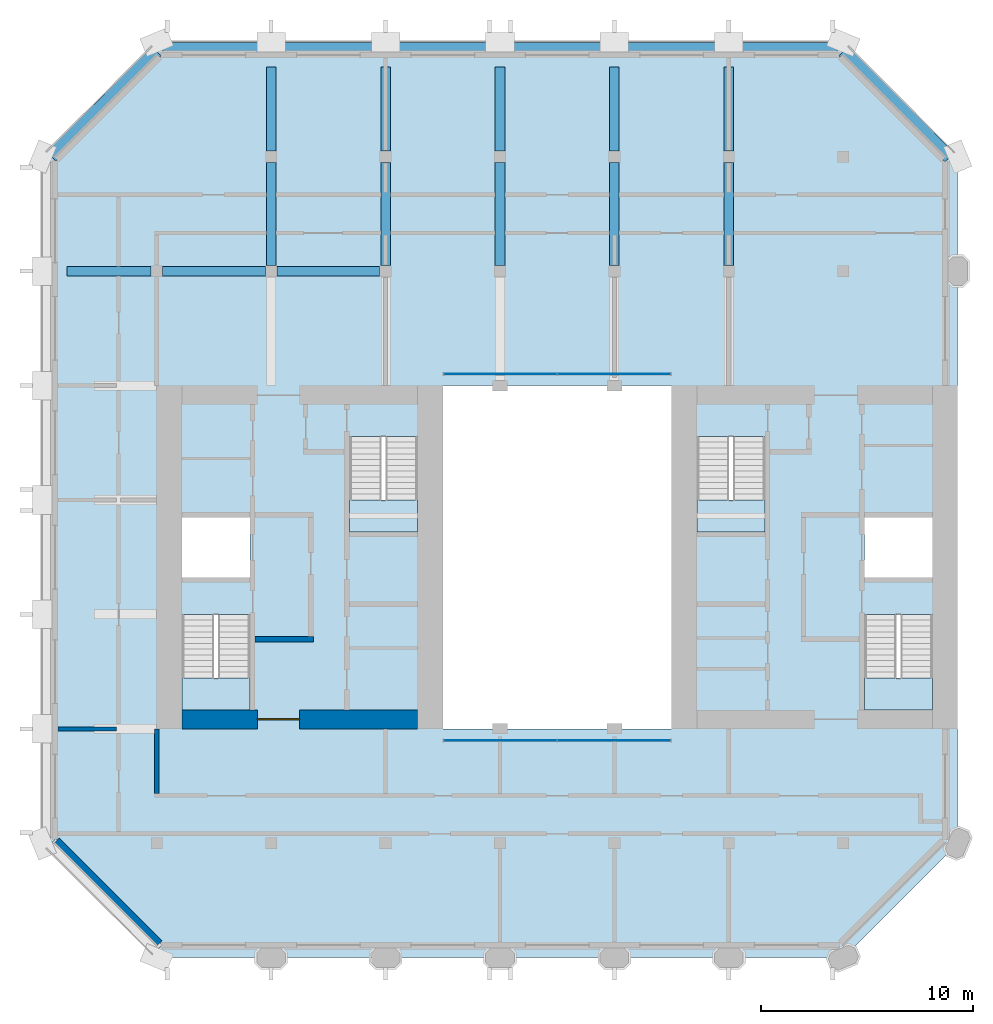
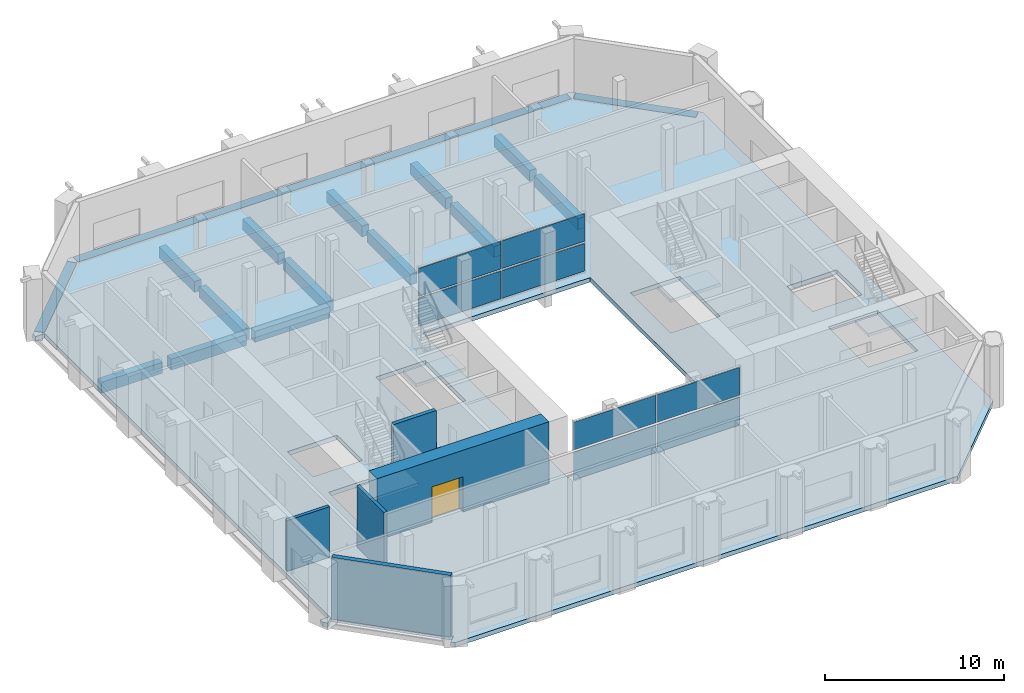
# One storey, part 5 of 12: 16 beams, 8 plates, 5 slabs, 5 walls, 1 door, 1 opening, 6 elements without a shape of their own.
"""IFC4 building model written with IfcOpenShell, lengths in metres."""

import ifcopenshell
import ifcopenshell.guid

model = None  # the IFC model being written
_history = None  # IfcOwnerHistory: only IFC2X3 demands one
_inside = {}  # id of a spatial element -> (the spatial element, [elements in it])
_under = {}  # id of a project, library or spatial element -> (it, [spatial elements below it])
_declared = {}  # id of a project -> (the project, [libraries it declares])
_typed = {}  # id of a type object -> (the type object, [elements of that type])
_made_of = {}  # id of a material, layer set ... -> (it, [elements and type objects made of it])


def new_model(schema):
    """Start an empty IFC model of exactly this schema.

    Asked for "IFC4X3", IfcOpenShell would pick the latest addendum, in which some entities
    have other attributes; the version numbers below select the first issue.
    IFC2X3 requires an IfcOwnerHistory on every rooted entity: one is made here for all.
    """
    global model, _history
    if schema == "IFC4X3":
        model = ifcopenshell.file(schema_version=(4, 3, 0, 0))
    else:
        model = ifcopenshell.file(schema=schema)
    _inside.clear()
    _under.clear()
    _declared.clear()
    _typed.clear()
    _made_of.clear()
    _history = None
    if model.schema == "IFC2X3":
        org = make("IfcOrganization", Name="unknown")
        user = make(
            "IfcPersonAndOrganization",
            ThePerson=make("IfcPerson", FamilyName="unknown"),
            TheOrganization=org,
        )
        app = make(
            "IfcApplication",
            ApplicationDeveloper=org,
            Version="unknown",
            ApplicationFullName="unknown",
            ApplicationIdentifier="unknown",
        )
        _history = make(
            "IfcOwnerHistory",
            OwningUser=user,
            OwningApplication=app,
            ChangeAction="ADDED",
            CreationDate=0,
        )
    return model


def make(cls, **values):
    """One entity of the class cls with the attributes given. An attribute that is None is left unset."""
    return model.create_entity(
        cls, **{name: value for name, value in values.items() if value is not None}
    )


def rooted(cls, **values):
    """An entity with a GlobalId (a new one), such as an element, a storey or a relation."""
    return make(cls, GlobalId=ifcopenshell.guid.new(), OwnerHistory=_history, **values)


def si_unit(unit_type, name, prefix=None):
    """IfcSIUnit, for example si_unit("LENGTHUNIT", "METRE", prefix="MILLI")."""
    return make("IfcSIUnit", UnitType=unit_type, Prefix=prefix, Name=name)


def assignment(units):
    """IfcUnitAssignment: the units of a project."""
    return None if units is None else make("IfcUnitAssignment", Units=units)


def point(xyz):
    """IfcCartesianPoint."""
    return None if xyz is None else make("IfcCartesianPoint", Coordinates=xyz)


def direction(xyz):
    """IfcDirection."""
    return None if xyz is None else make("IfcDirection", DirectionRatios=xyz)


def frame(location, z_axis=None, x_axis=None):
    """IfcAxis2Placement3D, a coordinate frame: its origin and axes. An axis left out is left unset."""
    return make(
        "IfcAxis2Placement3D",
        Location=point(location),
        Axis=direction(z_axis),
        RefDirection=direction(x_axis),
    )


def frame_2d(location, x_axis=None):
    """IfcAxis2Placement2D, a coordinate frame in the plane: its origin and x axis."""
    return make(
        "IfcAxis2Placement2D", Location=point(location), RefDirection=direction(x_axis)
    )


def origin():
    """The frame at (0, 0, 0) with its axes left unset."""
    return frame((0.0, 0.0, 0.0))


def origin_2d():
    """The frame at (0, 0) in the plane with its x axis left unset."""
    return frame_2d((0.0, 0.0))


def place(relative_to, where):
    """IfcLocalPlacement: puts the frame where relative to a parent placement (None: the world)."""
    return make(
        "IfcLocalPlacement", PlacementRelTo=relative_to, RelativePlacement=where
    )


def context(
    kind, dimensions, precision=None, world=None, true_north=None, identifier=None
):
    """IfcGeometricRepresentationContext, for example the 3D "Model" context."""
    return make(
        "IfcGeometricRepresentationContext",
        ContextIdentifier=identifier,
        ContextType=kind,
        CoordinateSpaceDimension=dimensions,
        Precision=precision,
        WorldCoordinateSystem=world,
        TrueNorth=true_north,
    )


def subcontext(parent, identifier, kind, view, scale=None):
    """IfcGeometricRepresentationSubContext, for example "Body" below "Model"."""
    return make(
        "IfcGeometricRepresentationSubContext",
        ContextIdentifier=identifier,
        ContextType=kind,
        ParentContext=parent,
        TargetScale=scale,
        TargetView=view,
    )


def project(units=None, contexts=None):
    """IfcProject with its units and contexts."""
    return rooted(
        "IfcProject",
        Name="project",
        RepresentationContexts=contexts,
        UnitsInContext=assignment(units),
    )


def spatial(cls, under=None, at=None, **own):
    """A site, building, storey or space (cls), placed at a placement, below another one or the project."""
    s = rooted(cls, ObjectPlacement=at, **own)
    if under is not None:
        _under.setdefault(under.id(), (under, []))[1].append(s)
    return s


def polyline(points):
    """IfcPolyline through the points."""
    return make("IfcPolyline", Points=[point(p) for p in points])


def profile(cls, at=None, kind="AREA", **sizes):
    """A parametric profile (cls). Its sizes go by their IFC names, for example OverallWidth=200.0."""
    return make(cls, ProfileType=kind, Position=at, **sizes)


def rectangle(**sizes):
    """IfcRectangleProfileDef."""
    return profile("IfcRectangleProfileDef", **sizes)


def outline(outer, holes=None, kind="AREA"):
    """IfcArbitraryClosedProfileDef: a profile drawn as a closed curve; with holes, ...WithVoids."""
    if holes is None:
        return make("IfcArbitraryClosedProfileDef", ProfileType=kind, OuterCurve=outer)
    return make(
        "IfcArbitraryProfileDefWithVoids",
        ProfileType=kind,
        OuterCurve=outer,
        InnerCurves=holes,
    )


def extrude(swept, where, along, depth):
    """IfcExtrudedAreaSolid: the profile swept, set in the frame where, extruded along a direction by depth."""
    return make(
        "IfcExtrudedAreaSolid",
        SweptArea=swept,
        Position=where,
        ExtrudedDirection=direction(along),
        Depth=depth,
    )


def shape(context_of_items, identifier, shape_type, items):
    """IfcShapeRepresentation: the items that make up one representation, for example the "Body"."""
    return make(
        "IfcShapeRepresentation",
        ContextOfItems=context_of_items,
        RepresentationIdentifier=identifier,
        RepresentationType=shape_type,
        Items=items,
    )


def material(Name=None, Category=None):
    """IfcMaterial."""
    return make("IfcMaterial", Name=Name, Category=Category)


def layer(
    of_material, thickness, ventilated=None, Name=None, Category=None, Priority=None
):
    """IfcMaterialLayer: one layer of a wall or slab, of a material (None: an air gap)."""
    return make(
        "IfcMaterialLayer",
        Material=of_material,
        LayerThickness=thickness,
        IsVentilated=ventilated,
        Name=Name,
        Category=Category,
        Priority=Priority,
    )


def layer_set(layers, Name=None):
    """IfcMaterialLayerSet."""
    return make("IfcMaterialLayerSet", MaterialLayers=layers, LayerSetName=Name)


def material_profile(
    of_material, cross_section, Name=None, Category=None, Priority=None
):
    """IfcMaterialProfile: a cross section and its material."""
    return make(
        "IfcMaterialProfile",
        Name=Name,
        Material=of_material,
        Profile=cross_section,
        Priority=Priority,
        Category=Category,
    )


def profile_set(profiles, Name=None, composite=None):
    """IfcMaterialProfileSet."""
    return make(
        "IfcMaterialProfileSet",
        Name=Name,
        MaterialProfiles=profiles,
        CompositeProfile=composite,
    )


def made_of(thing, what):
    """Note that an element or type object is made of a material, layer set ...; save() writes the relation."""
    if what is not None:
        _made_of.setdefault(what.id(), (what, []))[1].append(thing)
    return thing


def type_object(cls, material=None, **own):
    """A type object (cls), such as IfcWallType, which elements share."""
    return made_of(rooted(cls, **own), material)


def element(
    cls,
    number,
    at=None,
    inside=None,
    cuts=None,
    type_object=None,
    material=None,
    context=None,
    identifier="Body",
    shape_type=None,
    held_by="IfcProductDefinitionShape",
    body=None,
    shapes=None,
    **own,
):
    """One element of the class cls, such as IfcWall. Its Tag is "e" and its number.

    at: its placement. inside: the storey or other place that contains it. cuts: it is an
    opening in that element (IfcRelVoidsElement). A single representation is given by context,
    identifier, shape_type and body (its items); several are given by shapes. held_by: the class
    of the entity that holds the representations. save() writes the other relations.
    """
    e = rooted(cls, Tag="e%d" % number, ObjectPlacement=at, **own)
    if body is not None:
        shapes = [shape(context, identifier, shape_type, body)]
    if shapes is not None:
        e.Representation = make(held_by, Representations=shapes)
    if inside is not None:
        _inside.setdefault(inside.id(), (inside, []))[1].append(e)
    if cuts is not None:
        rooted(
            "IfcRelVoidsElement", RelatingBuildingElement=cuts, RelatedOpeningElement=e
        )
    if type_object is not None:
        _typed.setdefault(type_object.id(), (type_object, []))[1].append(e)
    return made_of(e, material)


def fill(opening, filler):
    """IfcRelFillsElement: the door or window that sits in an opening."""
    return rooted(
        "IfcRelFillsElement",
        RelatingOpeningElement=opening,
        RelatedBuildingElement=filler,
    )


def aggregate(whole, parts):
    """IfcRelAggregates: a whole, such as a stair, and the parts it consists of."""
    return rooted("IfcRelAggregates", RelatingObject=whole, RelatedObjects=parts)


def save(model, path):
    """Write the relations noted so far, then the file.

    IfcRelAggregates (storeys below a building ...), IfcRelContainedInSpatialStructure (elements
    in a storey), IfcRelDefinesByType, IfcRelAssociatesMaterial and IfcRelDeclares: one each for
    every whole, place, type object, material and project.
    """
    for whole, parts in _under.values():
        aggregate(whole, parts)
    for where, things in _inside.values():
        rooted(
            "IfcRelContainedInSpatialStructure",
            RelatedElements=things,
            RelatingStructure=where,
        )
    for kind, things in _typed.values():
        rooted("IfcRelDefinesByType", RelatedObjects=things, RelatingType=kind)
    for what, things in _made_of.values():
        rooted("IfcRelAssociatesMaterial", RelatedObjects=things, RelatingMaterial=what)
    for by, libraries in _declared.values():
        rooted("IfcRelDeclares", RelatingContext=by, RelatedDefinitions=libraries)
    model.write(path)


model = new_model("IFC4")

# Units and contexts
model_context = context("Model", 3, precision=1e-05, world=origin(), true_north=direction((0.0, 1.0)))
body_context = subcontext(model_context, "Body", "Model", "MODEL_VIEW")
ifc_project = project(units=[si_unit("LENGTHUNIT", "METRE"), si_unit("AREAUNIT", "SQUARE_METRE"), si_unit("VOLUMEUNIT", "CUBIC_METRE"), si_unit("PLANEANGLEUNIT", "RADIAN"), si_unit("MASSUNIT", "GRAM", prefix="KILO")], contexts=[model_context])

# Site, building, storey
site_placement = place(None, origin())
site = spatial("IfcSite", under=ifc_project, at=site_placement, CompositionType="ELEMENT")
building_placement = place(site_placement, origin())
building = spatial("IfcBuilding", under=site, at=building_placement, Name="Tabaq Tower and Sports Hall", CompositionType="ELEMENT")
storey_placement = place(building_placement, frame((0.0, 0.0, 317.199951171875)))
storey = spatial("IfcBuildingStorey", under=building, at=storey_placement, Name="L79", CompositionType="ELEMENT", Elevation=317.199951171875)

# Beams
ifc_material_1 = material(Name="Concrete C40/50", Category="concrete")
ifc_material_profile_1 = material_profile(ifc_material_1, rectangle(XDim=0.449951171875, YDim=0.75, at=origin_2d()), Name="CB 450x750")
ifc_profile_set_1 = profile_set([ifc_material_profile_1], Name="Concrete C40/50")
beam_type_1 = type_object("IfcBeamType", Name="PT CANTILEVER BEAM CB 450x750 C40/50", PredefinedType="BEAM", material=ifc_profile_set_1)
beam_1_placement = place(storey_placement, frame((1.175048828125, 37.800048828125, -0.675048828125), z_axis=(1.0, 0.0, 0.0), x_axis=(0.0, 1.0, 0.0)))
element("IfcBeam", 1, at=beam_1_placement, inside=storey, type_object=beam_type_1, Name="Cantilever Beam L79 W7 span 1", PredefinedType="BEAM", context=body_context, shape_type="SweptSolid", body=[
    extrude(rectangle(XDim=0.449951171875, YDim=0.75, at=origin_2d()), origin(), (0.0, 0.0, 1.0), 3.949951171875),
])
beam_2_placement = place(storey_placement, frame((5.675048828125, 37.800048828125, -0.675048828125), z_axis=(1.0, 0.0, 0.0), x_axis=(0.0, 1.0, 0.0)))
element("IfcBeam", 2, at=beam_2_placement, inside=storey, type_object=beam_type_1, Name="Cantilever Beam L79 W7 span 2", PredefinedType="BEAM", context=body_context, shape_type="SweptSolid", body=[
    extrude(rectangle(XDim=0.449951171875, YDim=0.75, at=origin_2d()), origin(), (0.0, 0.0, 1.0), 4.849853515625),
])
beam_3_placement = place(storey_placement, frame((11.074951171875, 37.800048828125, -0.675048828125), z_axis=(1.0, 0.0, 0.0), x_axis=(0.0, 1.0, 0.0)))
element("IfcBeam", 3, at=beam_3_placement, inside=storey, type_object=beam_type_1, Name="Cantilever Beam L79 W7 span 3", PredefinedType="BEAM", context=body_context, shape_type="SweptSolid", body=[
    extrude(rectangle(XDim=0.449951171875, YDim=0.75, at=origin_2d()), origin(), (0.0, 0.0, 1.0), 4.85009765625),
])
beam_4_placement = place(storey_placement, frame((10.800048828125, 47.425048828125, -0.675048828125), z_axis=(0.0, -1.0, 0.0), x_axis=(1.0, 0.0, 0.0)))
element("IfcBeam", 4, at=beam_4_placement, inside=storey, type_object=beam_type_1, Name="Cantilever Beam L79 N2 span 1", PredefinedType="BEAM", context=body_context, shape_type="SweptSolid", body=[
    extrude(rectangle(XDim=0.449951171875, YDim=0.75, at=origin_2d()), origin(), (0.0, 0.0, 1.0), 3.949951171875),
])
beam_5_placement = place(storey_placement, frame((10.800048828125, 42.925048828125, -0.675048828125), z_axis=(0.0, -1.0, 0.0), x_axis=(1.0, 0.0, 0.0)))
element("IfcBeam", 5, at=beam_5_placement, inside=storey, type_object=beam_type_1, Name="Cantilever Beam L79 N2 span 2", PredefinedType="BEAM", context=body_context, shape_type="SweptSolid", body=[
    extrude(rectangle(XDim=0.449951171875, YDim=0.75, at=origin_2d()), origin(), (0.0, 0.0, 1.0), 4.85009765625),
])
beam_6_placement = place(storey_placement, frame((16.199951171875, 47.425048828125, -0.675048828125), z_axis=(0.0, -1.0, 0.0), x_axis=(1.0, 0.0, 0.0)))
element("IfcBeam", 6, at=beam_6_placement, inside=storey, type_object=beam_type_1, Name="Cantilever Beam L79 N3 span 1", PredefinedType="BEAM", context=body_context, shape_type="SweptSolid", body=[
    extrude(rectangle(XDim=0.449951171875, YDim=0.75, at=origin_2d()), origin(), (0.0, 0.0, 1.0), 3.949951171875),
])
beam_7_placement = place(storey_placement, frame((16.199951171875, 42.925048828125, -0.675048828125), z_axis=(0.0, -1.0, 0.0), x_axis=(1.0, 0.0, 0.0)))
element("IfcBeam", 7, at=beam_7_placement, inside=storey, type_object=beam_type_1, Name="Cantilever Beam L79 N3 span 2", PredefinedType="BEAM", context=body_context, shape_type="SweptSolid", body=[
    extrude(rectangle(XDim=0.449951171875, YDim=0.75, at=origin_2d()), origin(), (0.0, 0.0, 1.0), 4.85009765625),
])
beam_8_placement = place(storey_placement, frame((21.60009765625, 47.425048828125, -0.675048828125), z_axis=(0.0, -1.0, 0.0), x_axis=(1.0, 0.0, 0.0)))
element("IfcBeam", 8, at=beam_8_placement, inside=storey, type_object=beam_type_1, Name="Cantilever Beam L79 N4 span 1", PredefinedType="BEAM", context=body_context, shape_type="SweptSolid", body=[
    extrude(rectangle(XDim=0.449951171875, YDim=0.75, at=origin_2d()), origin(), (0.0, 0.0, 1.0), 3.949951171875),
])
beam_9_placement = place(storey_placement, frame((21.60009765625, 42.925048828125, -0.675048828125), z_axis=(0.0, -1.0, 0.0), x_axis=(1.0, 0.0, 0.0)))
element("IfcBeam", 9, at=beam_9_placement, inside=storey, type_object=beam_type_1, Name="Cantilever Beam L79 N4 span 2", PredefinedType="BEAM", context=body_context, shape_type="SweptSolid", body=[
    extrude(rectangle(XDim=0.449951171875, YDim=0.75, at=origin_2d()), origin(), (0.0, 0.0, 1.0), 4.85009765625),
])
beam_10_placement = place(storey_placement, frame((27.0, 47.425048828125, -0.675048828125), z_axis=(0.0, -1.0, 0.0), x_axis=(1.0, 0.0, 0.0)))
element("IfcBeam", 10, at=beam_10_placement, inside=storey, type_object=beam_type_1, Name="Cantilever Beam L79 N5 span 1", PredefinedType="BEAM", context=body_context, shape_type="SweptSolid", body=[
    extrude(rectangle(XDim=0.449951171875, YDim=0.75, at=origin_2d()), origin(), (0.0, 0.0, 1.0), 3.949951171875),
])
beam_11_placement = place(storey_placement, frame((27.0, 42.925048828125, -0.675048828125), z_axis=(0.0, -1.0, 0.0), x_axis=(1.0, 0.0, 0.0)))
element("IfcBeam", 11, at=beam_11_placement, inside=storey, type_object=beam_type_1, Name="Cantilever Beam L79 N5 span 2", PredefinedType="BEAM", context=body_context, shape_type="SweptSolid", body=[
    extrude(rectangle(XDim=0.449951171875, YDim=0.75, at=origin_2d()), origin(), (0.0, 0.0, 1.0), 4.85009765625),
])
beam_12_placement = place(storey_placement, frame((32.39990234375, 47.425048828125, -0.675048828125), z_axis=(0.0, -1.0, 0.0), x_axis=(1.0, 0.0, 0.0)))
element("IfcBeam", 12, at=beam_12_placement, inside=storey, type_object=beam_type_1, Name="Cantilever Beam L79 N6 span 1", PredefinedType="BEAM", context=body_context, shape_type="SweptSolid", body=[
    extrude(rectangle(XDim=0.449951171875, YDim=0.75, at=origin_2d()), origin(), (0.0, 0.0, 1.0), 3.949951171875),
])
beam_13_placement = place(storey_placement, frame((32.39990234375, 42.925048828125, -0.675048828125), z_axis=(0.0, -1.0, 0.0), x_axis=(1.0, 0.0, 0.0)))
element("IfcBeam", 13, at=beam_13_placement, inside=storey, type_object=beam_type_1, Name="Cantilever Beam L79 N6 span 2", PredefinedType="BEAM", context=body_context, shape_type="SweptSolid", body=[
    extrude(rectangle(XDim=0.449951171875, YDim=0.75, at=origin_2d()), origin(), (0.0, 0.0, 1.0), 4.85009765625),
])
ifc_material_2 = material(Name="Concrete C40/50", Category="concrete")
ifc_material_profile_2 = material_profile(ifc_material_2, rectangle(XDim=0.60009765625, YDim=0.300048828125, at=origin_2d()), Name="EB 600x300")
ifc_profile_set_2 = profile_set([ifc_material_profile_2], Name="Concrete C40/50")
beam_type_2 = type_object("IfcBeamType", Name="PT EDGE BEAM EB 600x300 C40/50", PredefinedType="SPANDREL", material=ifc_profile_set_2)
beam_14_placement = place(storey_placement, frame((42.81103515625, 43.16455078125, -0.14990234375), z_axis=(-0.707089559252, 0.707124002701, 0.0), x_axis=(-0.707124002701, -0.707089559252, 0.0)))
element("IfcBeam", 14, at=beam_14_placement, inside=storey, type_object=beam_type_2, Name="Edge Beam L79 1", PredefinedType="SPANDREL", context=body_context, shape_type="SweptSolid", body=[
    extrude(rectangle(XDim=0.60009765625, YDim=0.300048828125, at=origin_2d()), origin(), (0.0, 0.0, 1.0), 7.088134765625),
])
beam_15_placement = place(storey_placement, frame((37.50146484375, 48.300048828125, -0.14990234375), z_axis=(-1.0, 0.0, 0.0), x_axis=(0.0, -1.0, 0.0)))
element("IfcBeam", 15, at=beam_15_placement, inside=storey, type_object=beam_type_2, Name="Edge Beam L79 2", PredefinedType="SPANDREL", context=body_context, shape_type="SweptSolid", body=[
    extrude(rectangle(XDim=0.60009765625, YDim=0.300048828125, at=origin_2d()), origin(), (0.0, 0.0, 1.0), 31.802978515625),
])
beam_16_placement = place(storey_placement, frame((5.401123046875, 48.1767578125, -0.14990234375), z_axis=(-0.707106781187, -0.707106781187, 0.0), x_axis=(0.707106781187, -0.707106781187, 0.0)))
element("IfcBeam", 16, at=beam_16_placement, inside=storey, type_object=beam_type_2, Name="Edge Beam L79 3", PredefinedType="SPANDREL", context=body_context, shape_type="SweptSolid", body=[
    extrude(rectangle(XDim=0.60009765625, YDim=0.300048828125, at=origin_2d()), origin(), (0.0, 0.0, 1.0), 7.03955078125),
])

# Curtain wall, plates
ifc_material_3 = material(Name="Aluminium alloy 6063-T6 framed glazing", Category="aluminium")
curtain_wall_type = type_object("IfcCurtainWallType", Name="CW1 curtain wall", PredefinedType="USERDEFINED", material=ifc_material_3)
curtain_wall_1_placement = place(storey_placement, origin())
curtain_wall_1 = element("IfcCurtainWall", 17, at=curtain_wall_1_placement, inside=storey, type_object=curtain_wall_type, Name="Atrium glazing L79 S", ObjectType="ATRIUM ENCLOSURE", PredefinedType="USERDEFINED")
ifc_material_4 = material(Name="Clear low-emissivity glass 28 mm", Category="glass")
ifc_layer_1 = layer(ifc_material_4, 0.028076171875)
ifc_layer_set_1 = layer_set([ifc_layer_1], Name="CW1 glass panel 28")
plate_type = type_object("IfcPlateType", Name="CW1 glass panel 28", PredefinedType="CURTAIN_PANEL", material=ifc_layer_set_1)
plate_1_placement = place(storey_placement, frame((21.614990234375, 15.64990234375, 0.14013671875), z_axis=(0.0, 0.0, 1.0), x_axis=(1.0, 0.0, 0.0)))
plate_1 = element("IfcPlate", 18, at=plate_1_placement, type_object=plate_type, Name="CW1 panel 1.1", PredefinedType="CURTAIN_PANEL", context=body_context, shape_type="SweptSolid", body=[
    extrude(rectangle(XDim=5.31005859375, YDim=0.028076171875, at=origin_2d()), origin(), (0.0, 0.0, 1.0), 1.889892578125),
])
plate_2_placement = place(storey_placement, frame((21.614990234375, 15.64990234375, 2.169921875), z_axis=(0.0, 0.0, 1.0), x_axis=(1.0, 0.0, 0.0)))
plate_2 = element("IfcPlate", 19, at=plate_2_placement, type_object=plate_type, Name="CW1 panel 1.2", PredefinedType="CURTAIN_PANEL", context=body_context, shape_type="SweptSolid", body=[
    extrude(rectangle(XDim=5.31005859375, YDim=0.028076171875, at=origin_2d()), origin(), (0.0, 0.0, 1.0), 1.889892578125),
])
plate_3_placement = place(storey_placement, frame((26.985107421875, 15.64990234375, 0.14013671875), z_axis=(0.0, 0.0, 1.0), x_axis=(1.0, 0.0, 0.0)))
plate_3 = element("IfcPlate", 20, at=plate_3_placement, type_object=plate_type, Name="CW1 panel 2.1", PredefinedType="CURTAIN_PANEL", context=body_context, shape_type="SweptSolid", body=[
    extrude(rectangle(XDim=5.31005859375, YDim=0.028076171875, at=origin_2d()), origin(), (0.0, 0.0, 1.0), 1.889892578125),
])
plate_4_placement = place(storey_placement, frame((26.985107421875, 15.64990234375, 2.169921875), z_axis=(0.0, 0.0, 1.0), x_axis=(1.0, 0.0, 0.0)))
plate_4 = element("IfcPlate", 21, at=plate_4_placement, type_object=plate_type, Name="CW1 panel 2.2", PredefinedType="CURTAIN_PANEL", context=body_context, shape_type="SweptSolid", body=[
    extrude(rectangle(XDim=5.31005859375, YDim=0.028076171875, at=origin_2d()), origin(), (0.0, 0.0, 1.0), 1.889892578125),
])
aggregate(curtain_wall_1, [plate_1, plate_2, plate_3, plate_4])

curtain_wall_2_placement = place(storey_placement, origin())
curtain_wall_2 = element("IfcCurtainWall", 22, at=curtain_wall_2_placement, inside=storey, type_object=curtain_wall_type, Name="Atrium glazing L79 N", ObjectType="ATRIUM ENCLOSURE", PredefinedType="USERDEFINED")
plate_5_placement = place(storey_placement, frame((21.614990234375, 32.949951171875, 0.14013671875), z_axis=(0.0, 0.0, 1.0), x_axis=(1.0, 0.0, 0.0)))
plate_5 = element("IfcPlate", 23, at=plate_5_placement, type_object=plate_type, Name="CW1 panel 1.1", PredefinedType="CURTAIN_PANEL", context=body_context, shape_type="SweptSolid", body=[
    extrude(rectangle(XDim=5.31005859375, YDim=0.028076171875, at=origin_2d()), origin(), (0.0, 0.0, 1.0), 1.889892578125),
])
plate_6_placement = place(storey_placement, frame((21.614990234375, 32.949951171875, 2.169921875), z_axis=(0.0, 0.0, 1.0), x_axis=(1.0, 0.0, 0.0)))
plate_6 = element("IfcPlate", 24, at=plate_6_placement, type_object=plate_type, Name="CW1 panel 1.2", PredefinedType="CURTAIN_PANEL", context=body_context, shape_type="SweptSolid", body=[
    extrude(rectangle(XDim=5.31005859375, YDim=0.028076171875, at=origin_2d()), origin(), (0.0, 0.0, 1.0), 1.889892578125),
])
plate_7_placement = place(storey_placement, frame((26.985107421875, 32.949951171875, 0.14013671875), z_axis=(0.0, 0.0, 1.0), x_axis=(1.0, 0.0, 0.0)))
plate_7 = element("IfcPlate", 25, at=plate_7_placement, type_object=plate_type, Name="CW1 panel 2.1", PredefinedType="CURTAIN_PANEL", context=body_context, shape_type="SweptSolid", body=[
    extrude(rectangle(XDim=5.31005859375, YDim=0.028076171875, at=origin_2d()), origin(), (0.0, 0.0, 1.0), 1.889892578125),
])
plate_8_placement = place(storey_placement, frame((26.985107421875, 32.949951171875, 2.169921875), z_axis=(0.0, 0.0, 1.0), x_axis=(1.0, 0.0, 0.0)))
plate_8 = element("IfcPlate", 26, at=plate_8_placement, type_object=plate_type, Name="CW1 panel 2.2", PredefinedType="CURTAIN_PANEL", context=body_context, shape_type="SweptSolid", body=[
    extrude(rectangle(XDim=5.31005859375, YDim=0.028076171875, at=origin_2d()), origin(), (0.0, 0.0, 1.0), 1.889892578125),
])
aggregate(curtain_wall_2, [plate_5, plate_6, plate_7, plate_8])

# Stair, slab
ifc_material_5 = material(Name="Concrete C40/50", Category="concrete")
stair_type = type_object("IfcStairType", Name="Exit stair", PredefinedType="HALF_TURN_STAIR", material=ifc_material_5)
stair_1_placement = place(storey_placement, origin())
stair_1 = element("IfcStair", 27, at=stair_1_placement, inside=storey, type_object=stair_type, Name="L79 Exit stair ST1", PredefinedType="HALF_TURN_STAIR")
ifc_material_6 = material(Name="Concrete C40/50", Category="concrete")
ifc_layer_2 = layer(ifc_material_6, 0.199951171875)
ifc_layer_set_2 = layer_set([ifc_layer_2], Name="Exit stair landing")
slab_type_1 = type_object("IfcSlabType", Name="Exit stair landing", PredefinedType="LANDING", material=ifc_layer_set_2)
slab_1_placement = place(storey_placement, frame((0.0, 0.0, 2.050048828125)))
slab_1 = element("IfcSlab", 28, at=slab_1_placement, type_object=slab_type_1, Name="ST1 landing 1", PredefinedType="LANDING", context=body_context, shape_type="SweptSolid", body=[
    extrude(outline(polyline([(6.60009765625, 18.60009765625), (6.60009765625, 17.10009765625), (9.800048828125, 17.10009765625), (9.800048828125, 18.60009765625), (6.60009765625, 18.60009765625)])), origin(), (0.0, 0.0, 1.0), 0.199951171875),
])
aggregate(stair_1, [slab_1])

stair_2_placement = place(storey_placement, origin())
stair_2 = element("IfcStair", 29, at=stair_2_placement, inside=storey, type_object=stair_type, Name="L79 Exit stair ST2", PredefinedType="HALF_TURN_STAIR")
slab_2_placement = place(storey_placement, frame((0.0, 0.0, 2.050048828125)))
slab_2 = element("IfcSlab", 30, at=slab_2_placement, type_object=slab_type_1, Name="ST2 landing 1", PredefinedType="LANDING", context=body_context, shape_type="SweptSolid", body=[
    extrude(outline(polyline([(14.5, 27.0), (14.5, 25.5), (17.699951171875, 25.5), (17.699951171875, 27.0), (14.5, 27.0)])), origin(), (0.0, 0.0, 1.0), 0.199951171875),
])
aggregate(stair_2, [slab_2])

stair_3_placement = place(storey_placement, origin())
stair_3 = element("IfcStair", 31, at=stair_3_placement, inside=storey, type_object=stair_type, Name="L79 Exit stair ST3", PredefinedType="HALF_TURN_STAIR")
slab_3_placement = place(storey_placement, frame((0.0, 0.0, 2.050048828125)))
slab_3 = element("IfcSlab", 32, at=slab_3_placement, type_object=slab_type_1, Name="ST3 landing 1", PredefinedType="LANDING", context=body_context, shape_type="SweptSolid", body=[
    extrude(outline(polyline([(38.800048828125, 18.60009765625), (38.800048828125, 17.10009765625), (42.0, 17.10009765625), (42.0, 18.60009765625), (38.800048828125, 18.60009765625)])), origin(), (0.0, 0.0, 1.0), 0.199951171875),
])
aggregate(stair_3, [slab_3])

stair_4_placement = place(storey_placement, origin())
stair_4 = element("IfcStair", 33, at=stair_4_placement, inside=storey, type_object=stair_type, Name="L79 Exit stair ST4", PredefinedType="HALF_TURN_STAIR")
slab_4_placement = place(storey_placement, frame((0.0, 0.0, 2.050048828125)))
slab_4 = element("IfcSlab", 34, at=slab_4_placement, type_object=slab_type_1, Name="ST4 landing 1", PredefinedType="LANDING", context=body_context, shape_type="SweptSolid", body=[
    extrude(outline(polyline([(30.89990234375, 27.0), (30.89990234375, 25.5), (34.10009765625, 25.5), (34.10009765625, 27.0), (30.89990234375, 27.0)])), origin(), (0.0, 0.0, 1.0), 0.199951171875),
])
aggregate(stair_4, [slab_4])

# Slab
ifc_material_7 = material(Name="Concrete C40/50", Category="concrete")
ifc_layer_3 = layer(ifc_material_7, 0.300048828125)
ifc_layer_set_3 = layer_set([ifc_layer_3], Name="PT FLOOR SLAB 300 C40/50")
slab_type_2 = type_object("IfcSlabType", Name="PT FLOOR SLAB 300 C40/50", PredefinedType="FLOOR", material=ifc_layer_set_3)
slab_5_placement = place(storey_placement, frame((0.0, 0.0, -0.300048828125)))
element("IfcSlab", 35, at=slab_5_placement, inside=storey, type_object=slab_type_2, Name="Floor Slab L79", PredefinedType="FLOOR", context=body_context, shape_type="SweptSolid", body=[
    extrude(outline(polyline([(0.0, 11.0986328125), (0.0, 10.800048828125), (0.211181640625, 10.5888671875), (0.63525390625, 11.01318359375), (5.6474609375, 6.0009765625), (5.57666015625, 5.930419921875), (5.22314453125, 5.57666015625), (5.39990234375, 5.39990234375), (37.800048828125, 5.39990234375), (43.199951171875, 10.800048828125), (43.199951171875, 43.199951171875), (43.023193359375, 43.376708984375), (42.669677734375, 43.023193359375), (42.598876953125, 42.952392578125), (37.5869140625, 47.964599609375), (37.657470703125, 48.035400390625), (38.010986328125, 48.388916015625), (37.800048828125, 48.60009765625), (37.50146484375, 48.60009765625), (37.50146484375, 48.10009765625), (37.50146484375, 48.0), (5.698486328125, 48.0), (5.698486328125, 48.10009765625), (5.698486328125, 48.60009765625), (5.39990234375, 48.60009765625), (5.18896484375, 48.388916015625), (5.54248046875, 48.035400390625), (5.61328125, 47.964599609375), (0.63525390625, 42.98681640625), (0.211181640625, 43.4111328125), (0.0, 43.199951171875), (0.0, 42.9013671875), (0.5, 42.9013671875), (0.60009765625, 42.9013671875), (0.60009765625, 11.0986328125), (0.5, 11.0986328125), (0.0, 11.0986328125)]), holes=[polyline([(6.60009765625, 17.10009765625), (6.60009765625, 21.599365234375), (9.800048828125, 21.599365234375), (9.800048828125, 17.10009765625), (6.60009765625, 17.10009765625)]), polyline([(38.800048828125, 21.599365234375), (42.0, 21.599365234375), (42.0, 17.10009765625), (38.800048828125, 17.10009765625), (38.800048828125, 21.599365234375)]), polyline([(18.89990234375, 16.199951171875), (18.89990234375, 32.39990234375), (29.699951171875, 32.39990234375), (29.699951171875, 16.199951171875), (18.89990234375, 16.199951171875)]), polyline([(6.60009765625, 26.175048828125), (9.800048828125, 26.175048828125), (9.800048828125, 23.35009765625), (6.60009765625, 23.35009765625), (6.60009765625, 26.175048828125)]), polyline([(38.800048828125, 26.175048828125), (42.0, 26.175048828125), (42.0, 23.35009765625), (38.800048828125, 23.35009765625), (38.800048828125, 26.175048828125)]), polyline([(14.5, 29.99951171875), (17.699951171875, 29.99951171875), (17.699951171875, 25.5), (14.5, 25.5), (14.5, 29.99951171875)]), polyline([(30.89990234375, 29.99951171875), (34.10009765625, 29.99951171875), (34.10009765625, 25.5), (30.89990234375, 25.5), (30.89990234375, 29.99951171875)])]), origin(), (0.0, 0.0, 1.0), 0.300048828125),
])

# Wall, opening, door
ifc_material_8 = material(Name="Concrete C40/50", Category="concrete")
ifc_layer_4 = layer(ifc_material_8, 0.89990234375)
ifc_layer_set_4 = layer_set([ifc_layer_4], Name="Core wall 900 Concrete C40/50")
wall_type_1 = type_object("IfcWallType", Name="Core wall 900 Concrete C40/50", PredefinedType="SOLIDWALL", material=ifc_layer_set_4)
wall_1_placement = place(storey_placement, frame((17.699951171875, 16.64990234375, 0.0), z_axis=(0.0, 0.0, 1.0), x_axis=(-1.0, 0.0, 0.0)))
wall_1 = element("IfcWall", 36, at=wall_1_placement, inside=storey, type_object=wall_type_1, Name="Core wall W L79", PredefinedType="SOLIDWALL", context=body_context, shape_type="SweptSolid", body=[
    extrude(rectangle(XDim=11.099853515625, YDim=0.89990234375, at=frame_2d((5.5498046875, 0.0))), origin(), (0.0, 0.0, 1.0), 4.199951171875),
])
opening_placement = place(wall_1_placement, frame((5.550048828125, 0.0, 0.0)))
opening = element("IfcOpeningElement", 37, at=opening_placement, cuts=wall_1, Name="Opening PD-WL79-01", PredefinedType="OPENING", context=body_context, shape_type="SweptSolid", body=[
    extrude(rectangle(XDim=2.0, YDim=2.39990234375, at=frame_2d((1.0, 1.199951171875))), frame((0.0, 0.449951171875, 0.0), z_axis=(0.0, -1.0, 0.0), x_axis=(1.0, 0.0, 0.0)), (0.0, 0.0, 1.0), 0.89990234375),
])
ifc_material_9 = material(Name="Steel fire door", Category="steel")
door_type = type_object("IfcDoorType", Name="Core entrance door 2000", OperationType="DOUBLE_DOOR_SINGLE_SWING", PredefinedType="DOOR", material=ifc_material_9)
door_placement = place(opening_placement, origin())
door = element("IfcDoor", 38, at=door_placement, inside=storey, type_object=door_type, Name="Core entrance south W L79", OperationType="DOUBLE_DOOR_SINGLE_SWING", OverallHeight=2.39990234375, OverallWidth=2.0, PredefinedType="DOOR", context=body_context, shape_type="SweptSolid", body=[
    extrude(rectangle(XDim=2.0, YDim=2.39990234375, at=frame_2d((1.0, 1.199951171875))), frame((0.0, 0.02490234375, 0.0), z_axis=(0.0, -1.0, 0.0), x_axis=(1.0, 0.0, 0.0)), (0.0, 0.0, 1.0), 0.050048828125),
])
fill(opening, door)

# Walls
ifc_material_10 = material(Name="Blockwork", Category="masonry")
ifc_layer_5 = layer(ifc_material_10, 0.199951171875)
ifc_layer_set_5 = layer_set([ifc_layer_5], Name="Fire compartment wall 200 Blockwork")
wall_type_2 = type_object("IfcWallType", Name="Fire compartment wall 200 Blockwork", PredefinedType="PARTITIONING", material=ifc_layer_set_5)
wall_2_placement = place(storey_placement, frame((3.5, 16.199951171875, 0.0), z_axis=(0.0, 0.0, 1.0), x_axis=(-1.0, 0.0, 0.0)))
element("IfcWall", 39, at=wall_2_placement, inside=storey, type_object=wall_type_2, Name="Compartment wall L79", PredefinedType="PARTITIONING", context=body_context, shape_type="SweptSolid", body=[
    extrude(rectangle(XDim=2.7490234375, YDim=0.199951171875, at=frame_2d((1.37451171875, 0.0))), origin(), (0.0, 0.0, 1.0), 3.449951171875),
])
wall_3_placement = place(storey_placement, frame((5.39990234375, 16.199951171875, 0.0), z_axis=(0.0, 0.0, 1.0), x_axis=(0.0, -1.0, 0.0)))
element("IfcWall", 40, at=wall_3_placement, inside=storey, type_object=wall_type_2, Name="Compartment wall L79", PredefinedType="PARTITIONING", context=body_context, shape_type="SweptSolid", body=[
    extrude(rectangle(XDim=3.050048828125, YDim=0.199951171875, at=frame_2d((1.52490234375, 0.0))), origin(), (0.0, 0.0, 1.0), 4.199951171875),
])
ifc_material_11 = material(Name="Concrete C40/50", Category="concrete")
ifc_layer_6 = layer(ifc_material_11, 0.25)
ifc_layer_set_6 = layer_set([ifc_layer_6], Name="Shaft and stair wall 250 Concrete C40/50")
wall_type_3 = type_object("IfcWallType", Name="Shaft and stair wall 250 Concrete C40/50", PredefinedType="SOLIDWALL", material=ifc_layer_set_6)
wall_4_placement = place(storey_placement, frame((10.050048828125, 20.425048828125, 0.0), z_axis=(0.0, 0.0, 1.0), x_axis=(1.0, 0.0, 0.0)))
element("IfcWall", 41, at=wall_4_placement, inside=storey, type_object=wall_type_3, Name="Fire-fighting lobby wall W L79", PredefinedType="SOLIDWALL", context=body_context, shape_type="SweptSolid", body=[
    extrude(rectangle(XDim=2.75, YDim=0.25, at=frame_2d((1.375, 0.0))), origin(), (0.0, 0.0, 1.0), 4.199951171875),
])
ifc_material_12 = material(Name="White precast concrete C60/75", Category="concrete")
ifc_layer_7 = layer(ifc_material_12, 0.300048828125)
ifc_layer_set_7 = layer_set([ifc_layer_7], Name="White precast concrete C60/75 external wall 300")
wall_type_4 = type_object("IfcWallType", Name="White precast concrete C60/75 external wall 300", PredefinedType="SOLIDWALL", material=ifc_layer_set_7)
wall_5_placement = place(storey_placement, frame((0.698974609375, 10.949462890625, 0.0), z_axis=(0.0, 0.0, 1.0), x_axis=(0.707106781187, -0.707106781187, 0.0)))
element("IfcWall", 42, at=wall_5_placement, inside=storey, type_object=wall_type_4, Name="External Wall L79 SW", PredefinedType="SOLIDWALL", context=body_context, shape_type="SweptSolid", body=[
    extrude(outline(polyline([(0.0, 0.0), (6.85986328125, 0.0), (6.859619140625, 4.199951171875), (6.2880859375, 4.199951171875), (5.71630859375, 4.199951171875), (5.144775390625, 4.199951171875), (4.5732421875, 4.199951171875), (4.00146484375, 4.199951171875), (3.429931640625, 4.199951171875), (2.858154296875, 4.199951171875), (2.28662109375, 4.199951171875), (1.71484375, 4.199951171875), (1.143310546875, 4.199951171875), (0.571533203125, 4.199951171875), (0.0, 4.199951171875), (0.0, 0.0)])), frame((0.0, 0.14990234375, 0.0), z_axis=(0.0, -1.0, 0.0), x_axis=(1.0, 0.0, 0.0)), (0.0, 0.0, 1.0), 0.300048828125),
])

save(model, "model.ifc")
